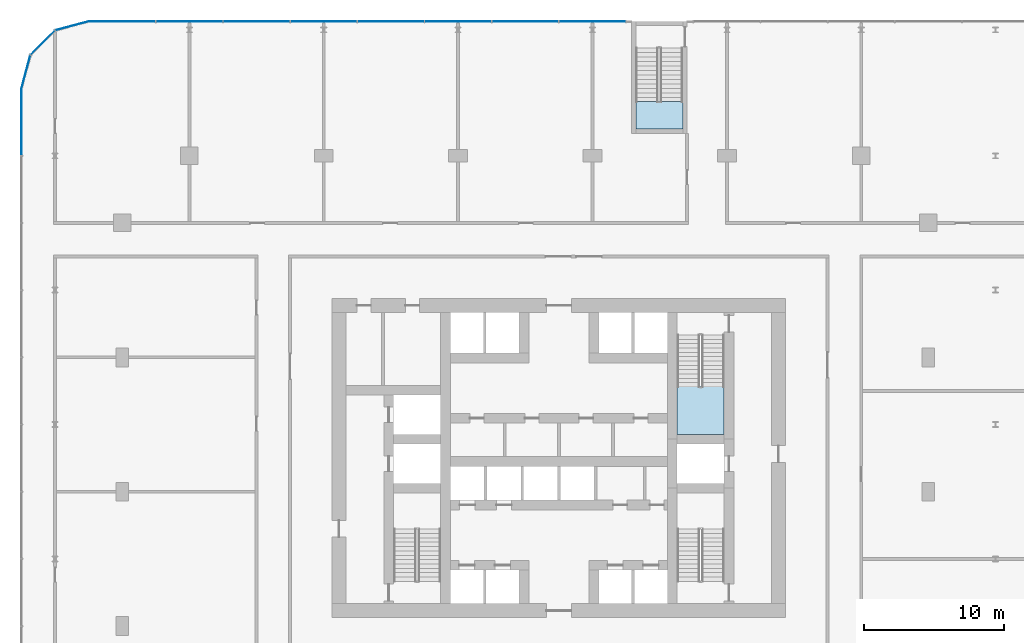
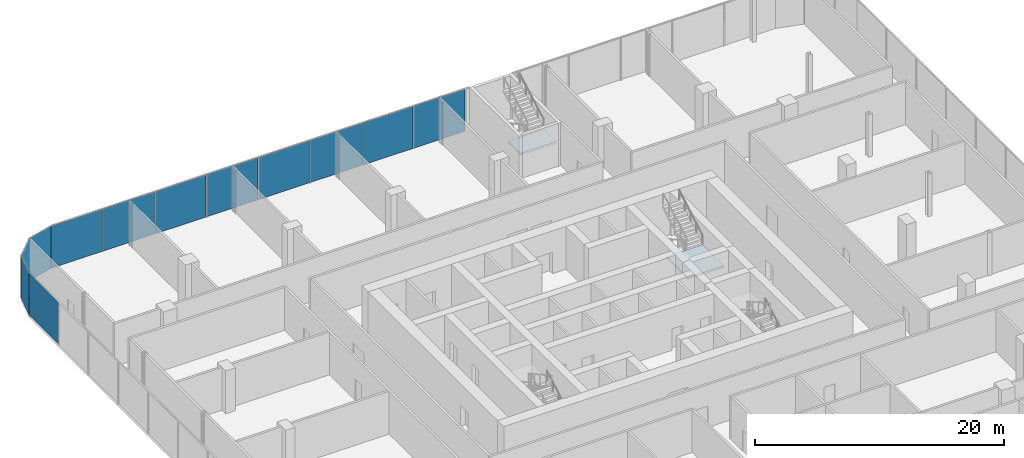
# One storey, part 26 of 43: 12 plates, 2 slabs, 5 elements without a shape of their own.
"""IFC4 building model written with IfcOpenShell, lengths in metres."""

from ifc_helpers import new_model, si_unit, direction, frame, origin, origin_2d, place, context, subcontext, project, spatial, polyline, rectangle, outline, extrude, material, layer, layer_set, type_object, element, aggregate, save


model = new_model("IFC4")

# Units and contexts
model_context = context("Model", 3, precision=1e-05, world=origin(), true_north=direction((0.0, 1.0)))
body_context = subcontext(model_context, "Body", "Model", "MODEL_VIEW")
ifc_project = project(units=[si_unit("LENGTHUNIT", "METRE"), si_unit("AREAUNIT", "SQUARE_METRE"), si_unit("VOLUMEUNIT", "CUBIC_METRE"), si_unit("PLANEANGLEUNIT", "RADIAN"), si_unit("MASSUNIT", "GRAM", prefix="KILO")], contexts=[model_context])

# Site, building, storey
site_placement = place(None, origin())
site = spatial("IfcSite", under=ifc_project, at=site_placement, CompositionType="ELEMENT")
building_placement = place(site_placement, origin())
building = spatial("IfcBuilding", under=site, at=building_placement, Name="Madar Terraces", CompositionType="ELEMENT")
storey_placement = place(building_placement, frame((0.0, 0.0, 10.5)))
storey = spatial("IfcBuildingStorey", under=building, at=storey_placement, Name="L02", CompositionType="ELEMENT", Elevation=10.5)

# Curtain wall, plates
ifc_material_1 = material(Name="Glass, clear low-iron, with black aluminium frame", Category="aluminium")
ifc_layer_1 = layer(ifc_material_1, 0.199951171875)
ifc_layer_set_1 = layer_set([ifc_layer_1], Name="Facade curtain wall, shopfront glazing")
curtain_wall_type = type_object("IfcCurtainWallType", Name="Facade curtain wall, shopfront glazing", PredefinedType="NOTDEFINED", material=ifc_layer_set_1)
curtain_wall_1_placement = place(storey_placement, origin())
curtain_wall_1 = element("IfcCurtainWall", 1, at=curtain_wall_1_placement, inside=storey, type_object=curtain_wall_type, Name="Outer skin curtain wall north bay 1", PredefinedType="NOTDEFINED")
ifc_material_2 = material(Name="Glass, ceramic frit dark grey", Category="glass")
ifc_layer_2 = layer(ifc_material_2, 0.028076171875)
ifc_layer_set_2 = layer_set([ifc_layer_2], Name="Facade glass panel 28")
plate_type = type_object("IfcPlateType", Name="Facade glass panel 28", PredefinedType="CURTAIN_PANEL", material=ifc_layer_set_2)
plate_1_placement = place(storey_placement, frame((33.60009765625, 57.60009765625, 0.0), z_axis=(0.0, 0.0, 1.0), x_axis=(-1.0, 0.0, 0.0)))
plate_1 = element("IfcPlate", 2, at=plate_1_placement, type_object=plate_type, Name="Panel 8", PredefinedType="CURTAIN_PANEL", context=body_context, shape_type="SweptSolid", body=[
    extrude(rectangle(XDim=4.739990234375, YDim=0.028076171875, at=origin_2d()), origin(), (0.0, 0.0, 1.0), 4.139892578125),
])
plate_2_placement = place(storey_placement, frame((28.800048828125, 57.60009765625, 0.0), z_axis=(0.0, 0.0, 1.0), x_axis=(-1.0, 0.0, 0.0)))
plate_2 = element("IfcPlate", 3, at=plate_2_placement, type_object=plate_type, Name="Panel 9", PredefinedType="CURTAIN_PANEL", context=body_context, shape_type="SweptSolid", body=[
    extrude(rectangle(XDim=4.739990234375, YDim=0.028076171875, at=origin_2d()), origin(), (0.0, 0.0, 1.0), 4.139892578125),
])
plate_3_placement = place(storey_placement, frame((24.0, 57.60009765625, 0.0), z_axis=(0.0, 0.0, 1.0), x_axis=(-1.0, 0.0, 0.0)))
plate_3 = element("IfcPlate", 4, at=plate_3_placement, type_object=plate_type, Name="Panel 10", PredefinedType="CURTAIN_PANEL", context=body_context, shape_type="SweptSolid", body=[
    extrude(rectangle(XDim=4.739990234375, YDim=0.028076171875, at=origin_2d()), origin(), (0.0, 0.0, 1.0), 4.139892578125),
])
plate_4_placement = place(storey_placement, frame((19.199951171875, 57.60009765625, 0.0), z_axis=(0.0, 0.0, 1.0), x_axis=(-1.0, 0.0, 0.0)))
plate_4 = element("IfcPlate", 5, at=plate_4_placement, type_object=plate_type, Name="Panel 11", PredefinedType="CURTAIN_PANEL", context=body_context, shape_type="SweptSolid", body=[
    extrude(rectangle(XDim=4.739990234375, YDim=0.028076171875, at=origin_2d()), origin(), (0.0, 0.0, 1.0), 4.139892578125),
])
plate_5_placement = place(storey_placement, frame((14.39990234375, 57.60009765625, 0.0), z_axis=(0.0, 0.0, 1.0), x_axis=(-1.0, 0.0, 0.0)))
plate_5 = element("IfcPlate", 6, at=plate_5_placement, type_object=plate_type, Name="Panel 12", PredefinedType="CURTAIN_PANEL", context=body_context, shape_type="SweptSolid", body=[
    extrude(rectangle(XDim=4.739990234375, YDim=0.028076171875, at=origin_2d()), origin(), (0.0, 0.0, 1.0), 4.139892578125),
])
plate_6_placement = place(storey_placement, frame((9.60009765625, 57.60009765625, 0.0), z_axis=(0.0, 0.0, 1.0), x_axis=(-1.0, 0.0, 0.0)))
plate_6 = element("IfcPlate", 7, at=plate_6_placement, type_object=plate_type, Name="Panel 13", PredefinedType="CURTAIN_PANEL", context=body_context, shape_type="SweptSolid", body=[
    extrude(rectangle(XDim=4.739990234375, YDim=0.028076171875, at=origin_2d()), origin(), (0.0, 0.0, 1.0), 4.139892578125),
])
plate_7_placement = place(storey_placement, frame((4.800048828125, 57.60009765625, 0.0), z_axis=(0.0, 0.0, 1.0), x_axis=(-1.0, 0.0, 0.0)))
plate_7 = element("IfcPlate", 8, at=plate_7_placement, type_object=plate_type, Name="Panel 14", PredefinedType="CURTAIN_PANEL", context=body_context, shape_type="SweptSolid", body=[
    extrude(rectangle(XDim=4.739990234375, YDim=0.028076171875, at=origin_2d()), origin(), (0.0, 0.0, 1.0), 4.139892578125),
])
plate_8_placement = place(storey_placement, frame((-0.014892578125, 57.60009765625, 0.0), z_axis=(0.0, 0.0, 1.0), x_axis=(-1.0, 0.0, 0.0)))
plate_8 = element("IfcPlate", 9, at=plate_8_placement, type_object=plate_type, Name="Panel 15", PredefinedType="CURTAIN_PANEL", context=body_context, shape_type="SweptSolid", body=[
    extrude(rectangle(XDim=4.77001953125, YDim=0.028076171875, at=origin_2d()), origin(), (0.0, 0.0, 1.0), 4.139892578125),
])
aggregate(curtain_wall_1, [plate_1, plate_2, plate_3, plate_4, plate_5, plate_6, plate_7, plate_8])

# Curtain wall, plate
curtain_wall_2_placement = place(storey_placement, origin())
curtain_wall_2 = element("IfcCurtainWall", 10, at=curtain_wall_2_placement, inside=storey, type_object=curtain_wall_type, Name="Outer skin curtain wall west bay 1", PredefinedType="NOTDEFINED")
plate_9_placement = place(storey_placement, frame((-7.199951171875, 50.4150390625, 0.0), z_axis=(0.0, 0.0, 1.0), x_axis=(0.0, -1.0, 0.0)))
plate_9 = element("IfcPlate", 11, at=plate_9_placement, type_object=plate_type, Name="Panel 1", PredefinedType="CURTAIN_PANEL", context=body_context, shape_type="SweptSolid", body=[
    extrude(rectangle(XDim=4.77001953125, YDim=0.028076171875, at=origin_2d()), origin(), (0.0, 0.0, 1.0), 4.139892578125),
])
aggregate(curtain_wall_2, [plate_9])

# Curtain wall, plates
curtain_wall_3_placement = place(storey_placement, origin())
curtain_wall_3 = element("IfcCurtainWall", 12, at=curtain_wall_3_placement, inside=storey, type_object=curtain_wall_type, Name="Outer skin curtain wall north-west corner", PredefinedType="NOTDEFINED")
plate_10_placement = place(storey_placement, frame((-3.58544921875, 57.2822265625, 0.0), z_axis=(0.0, 0.0, 1.0), x_axis=(-0.965925832509, -0.258819021888, 0.0)))
plate_10 = element("IfcPlate", 13, at=plate_10_placement, type_object=plate_type, Name="Panel 1", PredefinedType="CURTAIN_PANEL", context=body_context, shape_type="SweptSolid", body=[
    extrude(rectangle(XDim=2.45458984375, YDim=0.028076171875, at=origin_2d()), origin(), (0.0, 0.0, 1.0), 4.139892578125),
])
plate_11_placement = place(storey_placement, frame((-5.678466796875, 56.078369140625, 0.0), z_axis=(0.0, 0.0, 1.0), x_axis=(-0.707106781187, -0.707106781187, 0.0)))
plate_11 = element("IfcPlate", 14, at=plate_11_placement, type_object=plate_type, Name="Panel 2", PredefinedType="CURTAIN_PANEL", context=body_context, shape_type="SweptSolid", body=[
    extrude(rectangle(XDim=2.424560546875, YDim=0.028076171875, at=origin_2d()), origin(), (0.0, 0.0, 1.0), 4.139892578125),
])
plate_12_placement = place(storey_placement, frame((-6.88232421875, 53.985595703125, 0.0), z_axis=(0.0, 0.0, 1.0), x_axis=(-0.258819021888, -0.965925832509, 0.0)))
plate_12 = element("IfcPlate", 15, at=plate_12_placement, type_object=plate_type, Name="Panel 3", PredefinedType="CURTAIN_PANEL", context=body_context, shape_type="SweptSolid", body=[
    extrude(rectangle(XDim=2.45458984375, YDim=0.028076171875, at=origin_2d()), origin(), (0.0, 0.0, 1.0), 4.139892578125),
])
aggregate(curtain_wall_3, [plate_10, plate_11, plate_12])

# Stair, slab
ifc_material_3 = material(Name="Concrete C50/60", Category="concrete")
stair_type_1 = type_object("IfcStairType", Name="Stair ST2 protected exit", PredefinedType="HALF_TURN_STAIR", material=ifc_material_3)
stair_1_placement = place(storey_placement, origin())
stair_1 = element("IfcStair", 16, at=stair_1_placement, inside=storey, type_object=stair_type_1, Name="L02 Protected Exit Stair ST2", PredefinedType="HALF_TURN_STAIR")
ifc_material_4 = material(Name="Concrete C50/60", Category="concrete")
ifc_layer_3 = layer(ifc_material_4, 0.199951171875)
ifc_layer_set_3 = layer_set([ifc_layer_3], Name="Stair landing 200, top +2.25")
slab_type = type_object("IfcSlabType", Name="Stair landing 200, top +2.25", PredefinedType="LANDING", material=ifc_layer_set_3)
slab_1_placement = place(storey_placement, frame((0.0, 0.0, 2.050048828125)))
slab_1 = element("IfcSlab", 17, at=slab_1_placement, type_object=slab_type, Name="ST2 landing 1", PredefinedType="LANDING", context=body_context, shape_type="SweptSolid", body=[
    extrude(outline(polyline([(39.64990234375, 28.10009765625), (43.0, 28.10009765625), (43.0, 31.510009765625), (39.64990234375, 31.510009765625), (39.64990234375, 28.10009765625)])), origin(), (0.0, 0.0, 1.0), 0.199951171875),
])
aggregate(stair_1, [slab_1])

ifc_material_5 = material(Name="Concrete C50/60", Category="concrete")
stair_type_2 = type_object("IfcStairType", Name="Stair PS2 protected exit", PredefinedType="HALF_TURN_STAIR", material=ifc_material_5)
stair_2_placement = place(storey_placement, origin())
stair_2 = element("IfcStair", 18, at=stair_2_placement, inside=storey, type_object=stair_type_2, Name="L02 Protected Exit Stair PS2", PredefinedType="HALF_TURN_STAIR")
slab_2_placement = place(storey_placement, frame((0.0, 0.0, 2.050048828125)))
slab_2 = element("IfcSlab", 19, at=slab_2_placement, type_object=slab_type, Name="PS2 landing 1", PredefinedType="LANDING", context=body_context, shape_type="SweptSolid", body=[
    extrude(outline(polyline([(36.699951171875, 49.89990234375), (40.050048828125, 49.89990234375), (40.050048828125, 51.889892578125), (36.699951171875, 51.889892578125), (36.699951171875, 49.89990234375)])), origin(), (0.0, 0.0, 1.0), 0.199951171875),
])
aggregate(stair_2, [slab_2])

save(model, "model.ifc")
